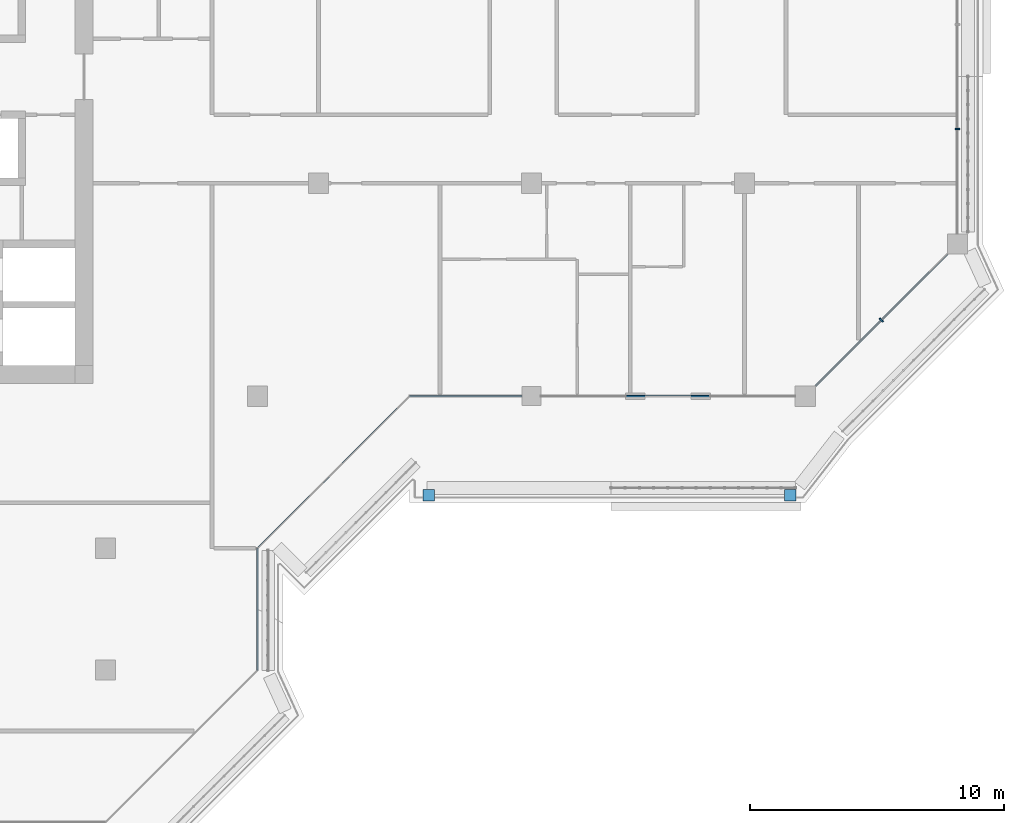
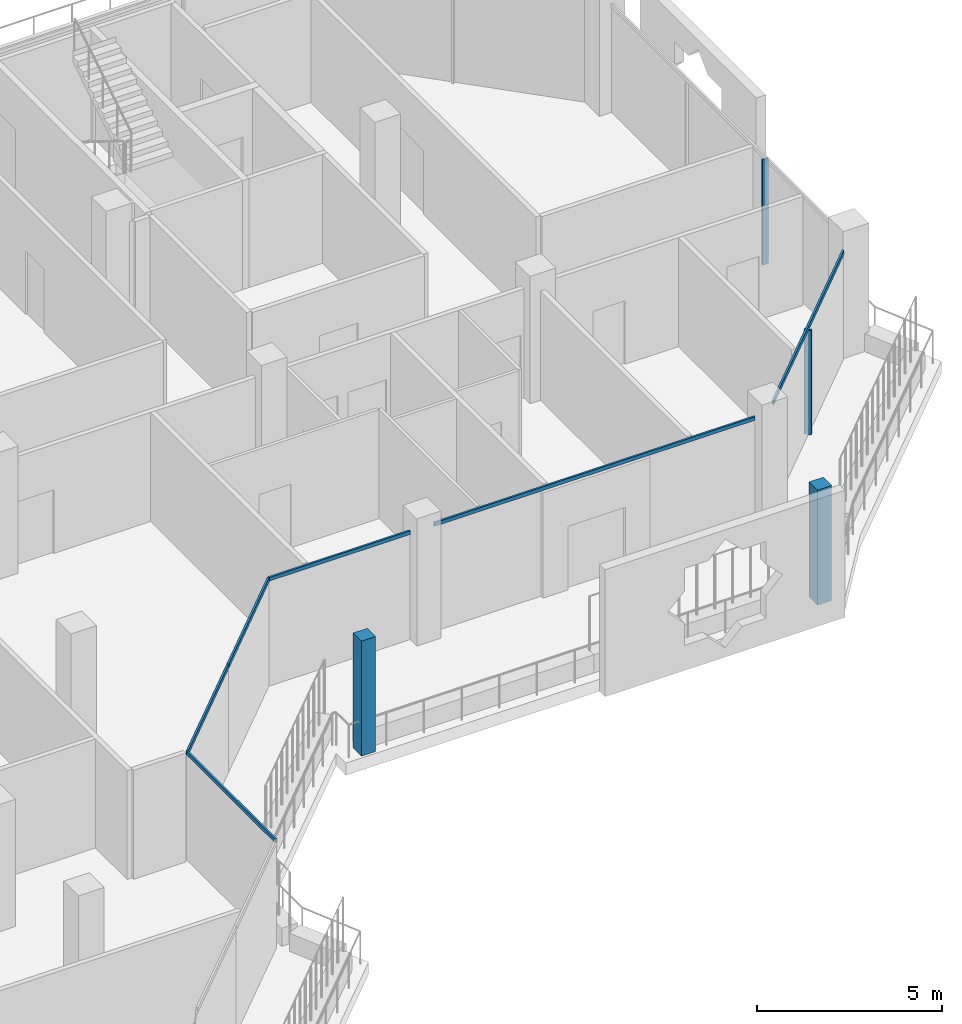
# One storey, part 5 of 21: 10 members, 6 elements without a shape of their own.
"""IFC4 building model written with IfcOpenShell, lengths in metres."""

import ifcopenshell
import ifcopenshell.guid

model = None  # the IFC model being written
_history = None  # IfcOwnerHistory: only IFC2X3 demands one
_inside = {}  # id of a spatial element -> (the spatial element, [elements in it])
_under = {}  # id of a project, library or spatial element -> (it, [spatial elements below it])
_declared = {}  # id of a project -> (the project, [libraries it declares])
_typed = {}  # id of a type object -> (the type object, [elements of that type])
_made_of = {}  # id of a material, layer set ... -> (it, [elements and type objects made of it])


def new_model(schema):
    """Start an empty IFC model of exactly this schema.

    Asked for "IFC4X3", IfcOpenShell would pick the latest addendum, in which some entities
    have other attributes; the version numbers below select the first issue.
    IFC2X3 requires an IfcOwnerHistory on every rooted entity: one is made here for all.
    """
    global model, _history
    if schema == "IFC4X3":
        model = ifcopenshell.file(schema_version=(4, 3, 0, 0))
    else:
        model = ifcopenshell.file(schema=schema)
    _inside.clear()
    _under.clear()
    _declared.clear()
    _typed.clear()
    _made_of.clear()
    _history = None
    if model.schema == "IFC2X3":
        org = make("IfcOrganization", Name="unknown")
        user = make(
            "IfcPersonAndOrganization",
            ThePerson=make("IfcPerson", FamilyName="unknown"),
            TheOrganization=org,
        )
        app = make(
            "IfcApplication",
            ApplicationDeveloper=org,
            Version="unknown",
            ApplicationFullName="unknown",
            ApplicationIdentifier="unknown",
        )
        _history = make(
            "IfcOwnerHistory",
            OwningUser=user,
            OwningApplication=app,
            ChangeAction="ADDED",
            CreationDate=0,
        )
    return model


def make(cls, **values):
    """One entity of the class cls with the attributes given. An attribute that is None is left unset."""
    return model.create_entity(
        cls, **{name: value for name, value in values.items() if value is not None}
    )


def rooted(cls, **values):
    """An entity with a GlobalId (a new one), such as an element, a storey or a relation."""
    return make(cls, GlobalId=ifcopenshell.guid.new(), OwnerHistory=_history, **values)


def si_unit(unit_type, name, prefix=None):
    """IfcSIUnit, for example si_unit("LENGTHUNIT", "METRE", prefix="MILLI")."""
    return make("IfcSIUnit", UnitType=unit_type, Prefix=prefix, Name=name)


def assignment(units):
    """IfcUnitAssignment: the units of a project."""
    return None if units is None else make("IfcUnitAssignment", Units=units)


def point(xyz):
    """IfcCartesianPoint."""
    return None if xyz is None else make("IfcCartesianPoint", Coordinates=xyz)


def direction(xyz):
    """IfcDirection."""
    return None if xyz is None else make("IfcDirection", DirectionRatios=xyz)


def frame(location, z_axis=None, x_axis=None):
    """IfcAxis2Placement3D, a coordinate frame: its origin and axes. An axis left out is left unset."""
    return make(
        "IfcAxis2Placement3D",
        Location=point(location),
        Axis=direction(z_axis),
        RefDirection=direction(x_axis),
    )


def frame_2d(location, x_axis=None):
    """IfcAxis2Placement2D, a coordinate frame in the plane: its origin and x axis."""
    return make(
        "IfcAxis2Placement2D", Location=point(location), RefDirection=direction(x_axis)
    )


def origin():
    """The frame at (0, 0, 0) with its axes left unset."""
    return frame((0.0, 0.0, 0.0))


def origin_2d():
    """The frame at (0, 0) in the plane with its x axis left unset."""
    return frame_2d((0.0, 0.0))


def place(relative_to, where):
    """IfcLocalPlacement: puts the frame where relative to a parent placement (None: the world)."""
    return make(
        "IfcLocalPlacement", PlacementRelTo=relative_to, RelativePlacement=where
    )


def context(
    kind, dimensions, precision=None, world=None, true_north=None, identifier=None
):
    """IfcGeometricRepresentationContext, for example the 3D "Model" context."""
    return make(
        "IfcGeometricRepresentationContext",
        ContextIdentifier=identifier,
        ContextType=kind,
        CoordinateSpaceDimension=dimensions,
        Precision=precision,
        WorldCoordinateSystem=world,
        TrueNorth=true_north,
    )


def subcontext(parent, identifier, kind, view, scale=None):
    """IfcGeometricRepresentationSubContext, for example "Body" below "Model"."""
    return make(
        "IfcGeometricRepresentationSubContext",
        ContextIdentifier=identifier,
        ContextType=kind,
        ParentContext=parent,
        TargetScale=scale,
        TargetView=view,
    )


def project(units=None, contexts=None):
    """IfcProject with its units and contexts."""
    return rooted(
        "IfcProject",
        Name="project",
        RepresentationContexts=contexts,
        UnitsInContext=assignment(units),
    )


def spatial(cls, under=None, at=None, **own):
    """A site, building, storey or space (cls), placed at a placement, below another one or the project."""
    s = rooted(cls, ObjectPlacement=at, **own)
    if under is not None:
        _under.setdefault(under.id(), (under, []))[1].append(s)
    return s


def profile(cls, at=None, kind="AREA", **sizes):
    """A parametric profile (cls). Its sizes go by their IFC names, for example OverallWidth=200.0."""
    return make(cls, ProfileType=kind, Position=at, **sizes)


def rectangle(**sizes):
    """IfcRectangleProfileDef."""
    return profile("IfcRectangleProfileDef", **sizes)


def extrude(swept, where, along, depth):
    """IfcExtrudedAreaSolid: the profile swept, set in the frame where, extruded along a direction by depth."""
    return make(
        "IfcExtrudedAreaSolid",
        SweptArea=swept,
        Position=where,
        ExtrudedDirection=direction(along),
        Depth=depth,
    )


def shape(context_of_items, identifier, shape_type, items):
    """IfcShapeRepresentation: the items that make up one representation, for example the "Body"."""
    return make(
        "IfcShapeRepresentation",
        ContextOfItems=context_of_items,
        RepresentationIdentifier=identifier,
        RepresentationType=shape_type,
        Items=items,
    )


def material(Name=None, Category=None):
    """IfcMaterial."""
    return make("IfcMaterial", Name=Name, Category=Category)


def layer(
    of_material, thickness, ventilated=None, Name=None, Category=None, Priority=None
):
    """IfcMaterialLayer: one layer of a wall or slab, of a material (None: an air gap)."""
    return make(
        "IfcMaterialLayer",
        Material=of_material,
        LayerThickness=thickness,
        IsVentilated=ventilated,
        Name=Name,
        Category=Category,
        Priority=Priority,
    )


def layer_set(layers, Name=None):
    """IfcMaterialLayerSet."""
    return make("IfcMaterialLayerSet", MaterialLayers=layers, LayerSetName=Name)


def material_profile(
    of_material, cross_section, Name=None, Category=None, Priority=None
):
    """IfcMaterialProfile: a cross section and its material."""
    return make(
        "IfcMaterialProfile",
        Name=Name,
        Material=of_material,
        Profile=cross_section,
        Priority=Priority,
        Category=Category,
    )


def profile_set(profiles, Name=None, composite=None):
    """IfcMaterialProfileSet."""
    return make(
        "IfcMaterialProfileSet",
        Name=Name,
        MaterialProfiles=profiles,
        CompositeProfile=composite,
    )


def made_of(thing, what):
    """Note that an element or type object is made of a material, layer set ...; save() writes the relation."""
    if what is not None:
        _made_of.setdefault(what.id(), (what, []))[1].append(thing)
    return thing


def type_object(cls, material=None, **own):
    """A type object (cls), such as IfcWallType, which elements share."""
    return made_of(rooted(cls, **own), material)


def element(
    cls,
    number,
    at=None,
    inside=None,
    cuts=None,
    type_object=None,
    material=None,
    context=None,
    identifier="Body",
    shape_type=None,
    held_by="IfcProductDefinitionShape",
    body=None,
    shapes=None,
    **own,
):
    """One element of the class cls, such as IfcWall. Its Tag is "e" and its number.

    at: its placement. inside: the storey or other place that contains it. cuts: it is an
    opening in that element (IfcRelVoidsElement). A single representation is given by context,
    identifier, shape_type and body (its items); several are given by shapes. held_by: the class
    of the entity that holds the representations. save() writes the other relations.
    """
    e = rooted(cls, Tag="e%d" % number, ObjectPlacement=at, **own)
    if body is not None:
        shapes = [shape(context, identifier, shape_type, body)]
    if shapes is not None:
        e.Representation = make(held_by, Representations=shapes)
    if inside is not None:
        _inside.setdefault(inside.id(), (inside, []))[1].append(e)
    if cuts is not None:
        rooted(
            "IfcRelVoidsElement", RelatingBuildingElement=cuts, RelatedOpeningElement=e
        )
    if type_object is not None:
        _typed.setdefault(type_object.id(), (type_object, []))[1].append(e)
    return made_of(e, material)


def aggregate(whole, parts):
    """IfcRelAggregates: a whole, such as a stair, and the parts it consists of."""
    return rooted("IfcRelAggregates", RelatingObject=whole, RelatedObjects=parts)


def save(model, path):
    """Write the relations noted so far, then the file.

    IfcRelAggregates (storeys below a building ...), IfcRelContainedInSpatialStructure (elements
    in a storey), IfcRelDefinesByType, IfcRelAssociatesMaterial and IfcRelDeclares: one each for
    every whole, place, type object, material and project.
    """
    for whole, parts in _under.values():
        aggregate(whole, parts)
    for where, things in _inside.values():
        rooted(
            "IfcRelContainedInSpatialStructure",
            RelatedElements=things,
            RelatingStructure=where,
        )
    for kind, things in _typed.values():
        rooted("IfcRelDefinesByType", RelatedObjects=things, RelatingType=kind)
    for what, things in _made_of.values():
        rooted("IfcRelAssociatesMaterial", RelatedObjects=things, RelatingMaterial=what)
    for by, libraries in _declared.values():
        rooted("IfcRelDeclares", RelatingContext=by, RelatedDefinitions=libraries)
    model.write(path)


model = new_model("IFC4")

# Units and contexts
model_context = context("Model", 3, precision=1e-05, world=origin(), true_north=direction((0.0, 1.0)))
body_context = subcontext(model_context, "Body", "Model", "MODEL_VIEW")
ifc_project = project(units=[si_unit("LENGTHUNIT", "METRE"), si_unit("AREAUNIT", "SQUARE_METRE"), si_unit("VOLUMEUNIT", "CUBIC_METRE"), si_unit("PLANEANGLEUNIT", "RADIAN"), si_unit("MASSUNIT", "GRAM", prefix="KILO")], contexts=[model_context])

# Site, building, storey
site_placement = place(None, origin())
site = spatial("IfcSite", under=ifc_project, at=site_placement, CompositionType="ELEMENT")
building_placement = place(site_placement, origin())
building = spatial("IfcBuilding", under=site, at=building_placement, Name="Kawkab Arch Medical Tower", CompositionType="ELEMENT")
storey_placement = place(building_placement, frame((0.0, 0.0, 315.39990234375)))
storey = spatial("IfcBuildingStorey", under=building, at=storey_placement, Name="L73", CompositionType="ELEMENT", Elevation=315.39990234375)

# Curtain wall, member
ifc_material_1 = material(Name="Bronze anodised aluminium curtain wall frame", Category="aluminium")
ifc_layer_1 = layer(ifc_material_1, 0.159912109375)
ifc_layer_set_1 = layer_set([ifc_layer_1], Name="Bronze anodised aluminium curtain wall frame")
curtain_wall_type_1 = type_object("IfcCurtainWallType", Name="CW1 ward curtain wall", PredefinedType="NOTDEFINED", material=ifc_layer_set_1)
placement = place(storey_placement, origin())
curtain_wall_1 = element("IfcCurtainWall", 1, at=placement, inside=storey, type_object=curtain_wall_type_1, Name="CW1 Ward curtain wall R13", PredefinedType="NOTDEFINED")
ifc_material_2 = material(Name="Bronze anodised aluminium curtain wall frame", Category="aluminium")
ifc_material_profile_1 = material_profile(ifc_material_2, rectangle(XDim=0.179931640625, YDim=0.06005859375, at=origin_2d()), Name="AL 60x180")
ifc_profile_set_1 = profile_set([ifc_material_profile_1], Name="Bronze anodised aluminium curtain wall frame")
member_type_1 = type_object("IfcMemberType", Name="CW1 mullion 60 x 180", PredefinedType="MULLION", material=ifc_profile_set_1)
member_1_placement = place(storey_placement, frame((58.800048828125, -14.666748046875, 0.0), z_axis=(0.0, 0.0, 1.0), x_axis=(-1.0, 0.0, 0.0)))
member_1 = element("IfcMember", 2, at=member_1_placement, type_object=member_type_1, Name="CW1 mullion 1.1", PredefinedType="MULLION", context=body_context, shape_type="SweptSolid", body=[
    extrude(rectangle(XDim=0.179931640625, YDim=0.06005859375, at=origin_2d()), origin(), (0.0, 0.0, 1.0), 3.47998046875),
])
aggregate(curtain_wall_1, [member_1])

curtain_wall_2 = element("IfcCurtainWall", 3, at=placement, inside=storey, type_object=curtain_wall_type_1, Name="CW1 Ward curtain wall R09", PredefinedType="NOTDEFINED")
ifc_material_3 = material(Name="Bronze anodised aluminium curtain wall frame", Category="aluminium")
ifc_material_profile_2 = material_profile(ifc_material_3, rectangle(XDim=0.06005859375, YDim=0.1201171875, at=origin_2d()), Name="AL 60x120")
ifc_profile_set_2 = profile_set([ifc_material_profile_2], Name="Bronze anodised aluminium curtain wall frame")
member_type_2 = type_object("IfcMemberType", Name="CW1 transom 120 x 60", PredefinedType="USERDEFINED", material=ifc_profile_set_2)
member_2_placement = place(storey_placement, frame((31.199951171875, -36.0, 3.5400390625), z_axis=(0.0, 1.0, 0.0), x_axis=(-1.0, 0.0, 0.0)))
member_2 = element("IfcMember", 4, at=member_2_placement, type_object=member_type_2, Name="CW1 transom 1", ObjectType="TRANSOM", PredefinedType="USERDEFINED", context=body_context, shape_type="SweptSolid", body=[
    extrude(rectangle(XDim=0.06005859375, YDim=0.1201171875, at=origin_2d()), origin(), (0.0, 0.0, 1.0), 4.800048828125),
])
aggregate(curtain_wall_2, [member_2])

# Curtain wall, members
curtain_wall_3 = element("IfcCurtainWall", 5, at=placement, inside=storey, type_object=curtain_wall_type_1, Name="CW1 Ward curtain wall R11", PredefinedType="NOTDEFINED")
member_3_placement = place(storey_placement, frame((37.199951171875, -25.199951171875, 3.5400390625), z_axis=(1.0, 0.0, 0.0), x_axis=(0.0, 1.0, 0.0)))
member_3 = element("IfcMember", 6, at=member_3_placement, type_object=member_type_2, Name="CW1 transom 1", ObjectType="TRANSOM", PredefinedType="USERDEFINED", context=body_context, shape_type="SweptSolid", body=[
    extrude(rectangle(XDim=0.06005859375, YDim=0.1201171875, at=origin_2d()), origin(), (0.0, 0.0, 1.0), 4.425048828125),
])
member_4_placement = place(storey_placement, frame((42.375, -25.199951171875, 3.5400390625), z_axis=(1.0, 0.0, 0.0), x_axis=(0.0, 1.0, 0.0)))
member_4 = element("IfcMember", 7, at=member_4_placement, type_object=member_type_2, Name="CW1 transom 2", ObjectType="TRANSOM", PredefinedType="USERDEFINED", context=body_context, shape_type="SweptSolid", body=[
    extrude(rectangle(XDim=0.06005859375, YDim=0.1201171875, at=origin_2d()), origin(), (0.0, 0.0, 1.0), 10.02490234375),
])
aggregate(curtain_wall_3, [member_3, member_4])

# Curtain wall, member
ifc_material_4 = material(Name="Bronze anodised aluminium curtain wall frame", Category="aluminium")
ifc_layer_2 = layer(ifc_material_4, 0.159912109375)
ifc_layer_set_2 = layer_set([ifc_layer_2], Name="Bronze anodised aluminium curtain wall frame")
curtain_wall_type_2 = type_object("IfcCurtainWallType", Name="CW2 chamfer curtain wall", PredefinedType="NOTDEFINED", material=ifc_layer_set_2)
curtain_wall_4 = element("IfcCurtainWall", 8, at=placement, inside=storey, type_object=curtain_wall_type_2, Name="CW2 Chamfer curtain wall R12", PredefinedType="NOTDEFINED")
ifc_material_5 = material(Name="Bronze anodised aluminium curtain wall frame", Category="aluminium")
ifc_material_profile_3 = material_profile(ifc_material_5, rectangle(XDim=0.199951171875, YDim=0.06005859375, at=origin_2d()), Name="AL 60x200")
ifc_profile_set_3 = profile_set([ifc_material_profile_3], Name="Bronze anodised aluminium curtain wall frame")
member_type_3 = type_object("IfcMemberType", Name="CW2 mullion 60 x 200", PredefinedType="MULLION", material=ifc_profile_set_3)
member_5_placement = place(storey_placement, frame((55.800048828125, -22.199951171875, 0.0), z_axis=(0.0, 0.0, 1.0), x_axis=(-0.707106781187, 0.707106781187, 0.0)))
member_5 = element("IfcMember", 9, at=member_5_placement, type_object=member_type_3, Name="CW2 mullion 1.1", PredefinedType="MULLION", context=body_context, shape_type="SweptSolid", body=[
    extrude(rectangle(XDim=0.199951171875, YDim=0.06005859375, at=origin_2d()), origin(), (0.0, 0.0, 1.0), 3.460205078125),
])

# Curtain wall, members
curtain_wall_5 = element("IfcCurtainWall", 10, at=placement, inside=storey, type_object=curtain_wall_type_2, Name="CW2 Chamfer curtain wall R10", PredefinedType="NOTDEFINED")
ifc_material_6 = material(Name="Bronze anodised aluminium curtain wall frame", Category="aluminium")
ifc_material_profile_4 = material_profile(ifc_material_6, rectangle(XDim=0.06005859375, YDim=0.139892578125, at=origin_2d()), Name="AL 60x140")
ifc_profile_set_4 = profile_set([ifc_material_profile_4], Name="Bronze anodised aluminium curtain wall frame")
member_type_4 = type_object("IfcMemberType", Name="CW2 transom 140 x 60", PredefinedType="USERDEFINED", material=ifc_profile_set_4)
member_6_placement = place(storey_placement, frame((31.199951171875, -31.199951171875, 3.530029296875), z_axis=(0.707106781187, 0.707106781187, 0.0), x_axis=(-0.707106781187, 0.707106781187, 0.0)))
member_6 = element("IfcMember", 11, at=member_6_placement, type_object=member_type_4, Name="CW2 transom 1", ObjectType="TRANSOM", PredefinedType="USERDEFINED", context=body_context, shape_type="SweptSolid", body=[
    extrude(rectangle(XDim=0.06005859375, YDim=0.139892578125, at=origin_2d()), origin(), (0.0, 0.0, 1.0), 4.24267578125),
])
member_7_placement = place(storey_placement, frame((34.199951171875, -28.199951171875, 3.530029296875), z_axis=(0.707106781187, 0.707106781187, 0.0), x_axis=(-0.707106781187, 0.707106781187, 0.0)))
member_7 = element("IfcMember", 12, at=member_7_placement, type_object=member_type_4, Name="CW2 transom 2", ObjectType="TRANSOM", PredefinedType="USERDEFINED", context=body_context, shape_type="SweptSolid", body=[
    extrude(rectangle(XDim=0.06005859375, YDim=0.139892578125, at=origin_2d()), origin(), (0.0, 0.0, 1.0), 4.24267578125),
])
aggregate(curtain_wall_5, [member_6, member_7])

# Member
member_8_placement = place(storey_placement, frame((53.199951171875, -24.800048828125, 3.530029296875), z_axis=(0.707106781187, 0.707106781187, 0.0), x_axis=(-0.707106781187, 0.707106781187, 0.0)))
member_8 = element("IfcMember", 13, at=member_8_placement, type_object=member_type_4, Name="CW2 transom 1", ObjectType="TRANSOM", PredefinedType="USERDEFINED", context=body_context, shape_type="SweptSolid", body=[
    extrude(rectangle(XDim=0.06005859375, YDim=0.139892578125, at=origin_2d()), origin(), (0.0, 0.0, 1.0), 7.353759765625),
])

aggregate(curtain_wall_4, [member_8, member_5])

# Curtain wall, members
ifc_material_7 = material(Name="Bronze anodised aluminium climber frame, planted", Category="aluminium")
ifc_layer_3 = layer(ifc_material_7, 0.449951171875)
ifc_layer_set_3 = layer_set([ifc_layer_3], Name="Bronze anodised aluminium climber frame, planted")
curtain_wall_type_3 = type_object("IfcCurtainWallType", Name="Planted climber frame", PredefinedType="NOTDEFINED", material=ifc_layer_set_3)
curtain_wall_6 = element("IfcCurtainWall", 14, at=placement, inside=storey, type_object=curtain_wall_type_3, Name="Planted climber frame L73", PredefinedType="NOTDEFINED")
ifc_material_8 = material(Name="Bronze anodised aluminium climber frame, planted", Category="aluminium")
ifc_material_profile_5 = material_profile(ifc_material_8, rectangle(XDim=0.449951171875, YDim=0.449951171875, at=origin_2d()), Name="Post 450x450")
ifc_profile_set_5 = profile_set([ifc_material_profile_5], Name="Bronze anodised aluminium climber frame, planted")
member_type_5 = type_object("IfcMemberType", Name="Planted climber post 450 x 450", PredefinedType="MULLION", material=ifc_profile_set_5)
member_9_placement = place(storey_placement, frame((52.202880859375, -29.10009765625, 0.0), z_axis=(0.0, 0.0, 1.0), x_axis=(1.0, 0.0, 0.0)))
member_9 = element("IfcMember", 15, at=member_9_placement, type_object=member_type_5, Name="Planted climber post L73.LOG-01-01.5", PredefinedType="MULLION", context=body_context, shape_type="SweptSolid", body=[
    extrude(rectangle(XDim=0.449951171875, YDim=0.449951171875, at=origin_2d()), origin(), (0.0, 0.0, 1.0), 3.800048828125),
])
member_10_placement = place(storey_placement, frame((37.949951171875, -29.10009765625, 0.0), z_axis=(0.0, 0.0, 1.0), x_axis=(1.0, 0.0, 0.0)))
member_10 = element("IfcMember", 16, at=member_10_placement, type_object=member_type_5, Name="Planted climber post L73.LOG-01-01.6", PredefinedType="MULLION", context=body_context, shape_type="SweptSolid", body=[
    extrude(rectangle(XDim=0.449951171875, YDim=0.449951171875, at=origin_2d()), origin(), (0.0, 0.0, 1.0), 3.800048828125),
])
aggregate(curtain_wall_6, [member_9, member_10])

save(model, "model.ifc")
